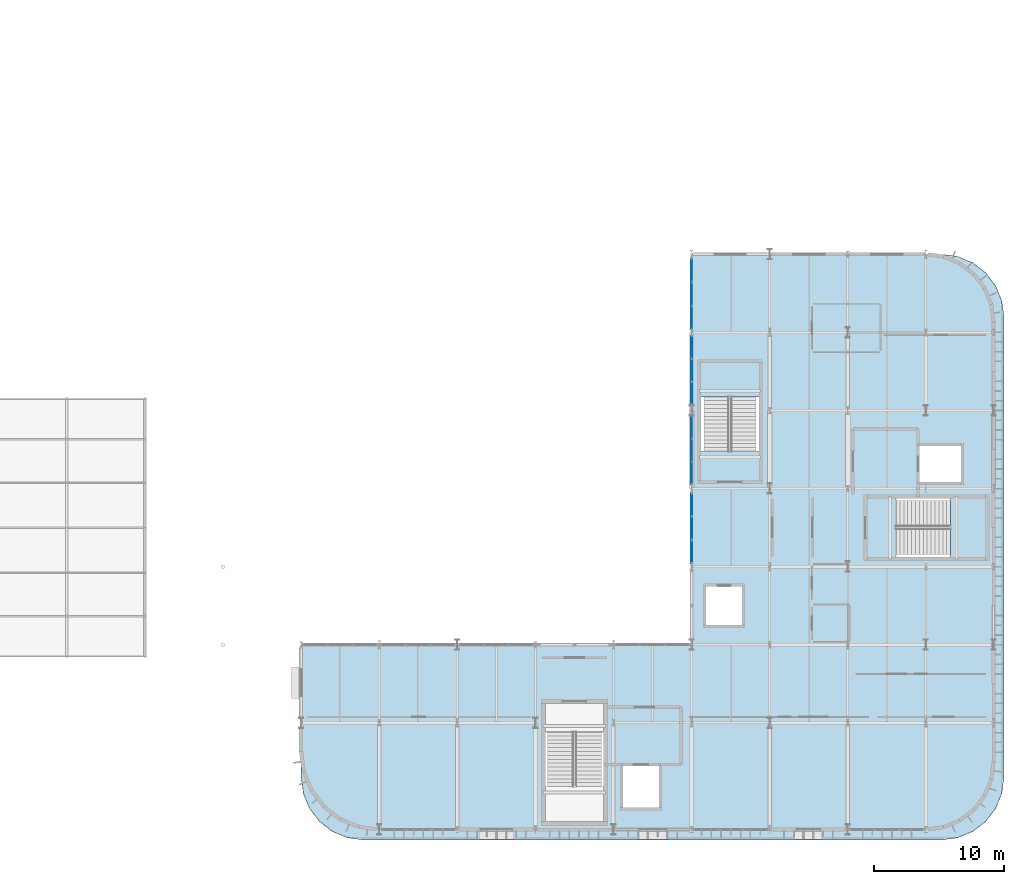
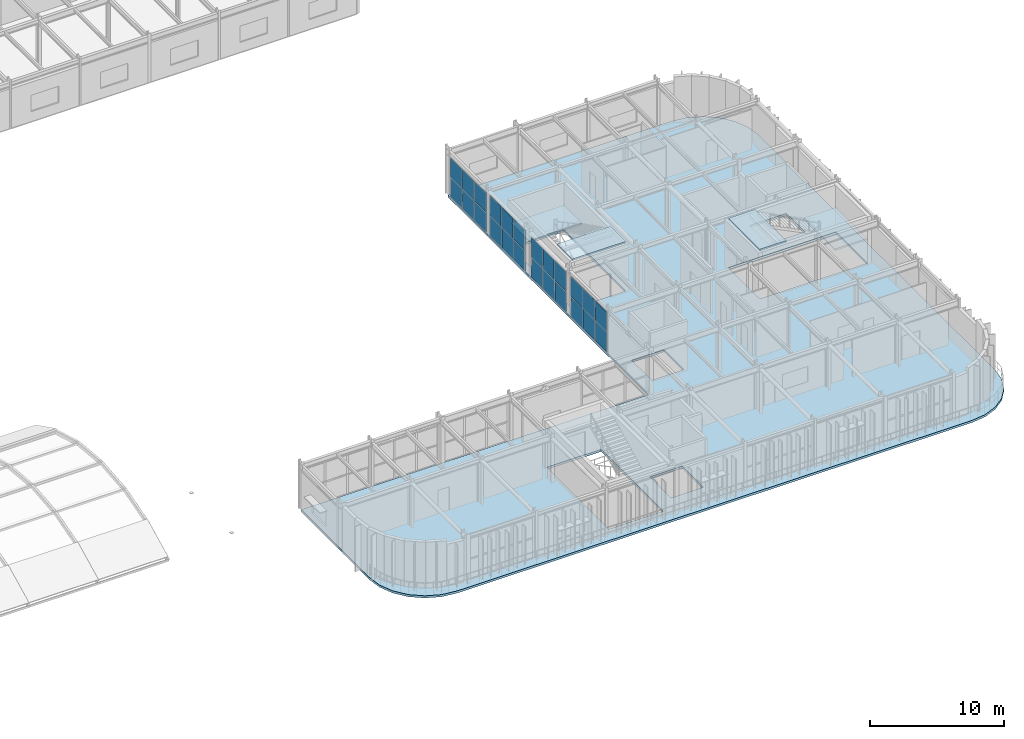
# One storey, part 51 of 84: 24 plates, 5 slabs, 6 elements without a shape of their own.
"""IFC4 building model written with IfcOpenShell, lengths in metres."""

from ifc_helpers import new_model, si_unit, direction, frame, origin, origin_2d, place, context, subcontext, project, spatial, polyline, rectangle, outline, extrude, material, layer, layer_set, type_object, element, aggregate, save


model = new_model("IFC4")

# Units and contexts
model_context = context("Model", 3, precision=1e-05, world=origin(), true_north=direction((0.0, 1.0)))
body_context = subcontext(model_context, "Body", "Model", "MODEL_VIEW")
ifc_project = project(units=[si_unit("LENGTHUNIT", "METRE"), si_unit("AREAUNIT", "SQUARE_METRE"), si_unit("VOLUMEUNIT", "CUBIC_METRE"), si_unit("PLANEANGLEUNIT", "RADIAN"), si_unit("MASSUNIT", "GRAM", prefix="KILO")], contexts=[model_context])

# Site, building, storey
site_placement = place(None, origin())
site = spatial("IfcSite", under=ifc_project, at=site_placement, CompositionType="ELEMENT")
building_placement = place(site_placement, origin())
building = spatial("IfcBuilding", under=site, at=building_placement, Name="Varnakota Square Police Headquarters", CompositionType="ELEMENT")
storey_placement = place(building_placement, frame((0.0, 0.0, 13.5)))
storey = spatial("IfcBuildingStorey", under=building, at=storey_placement, Name="L03", CompositionType="ELEMENT", Elevation=13.5)

# Curtain wall, plates
ifc_material_1 = material(Name="Anodised Aluminium Framing", Category="aluminium")
curtain_wall_type = type_object("IfcCurtainWallType", Name="CW-SYS-E", PredefinedType="NOTDEFINED", material=ifc_material_1)
curtain_wall_1_placement = place(storey_placement, origin())
curtain_wall_1 = element("IfcCurtainWall", 1, at=curtain_wall_1_placement, inside=storey, type_object=curtain_wall_type, Name="Unitised curtain wall CWG-L03-087", PredefinedType="NOTDEFINED")
ifc_material_2 = material(Name="Solar-Control Laminated Double Glazing", Category="glass")
ifc_layer_1 = layer(ifc_material_2, 0.028076171875, Name="Solar-Control Laminated Double Glazing")
ifc_layer_set_1 = layer_set([ifc_layer_1], Name="Solar-Control Laminated Double Glazing")
plate_type_1 = type_object("IfcPlateType", Name="CWP-GLZ-28", PredefinedType="CURTAIN_PANEL", material=ifc_layer_set_1)
plate_1_placement = place(storey_placement, frame((138.0, 40.156982421875, 0.06494140625), z_axis=(0.0, 0.0, 1.0), x_axis=(0.0, 1.0, 0.0)))
plate_1 = element("IfcPlate", 2, at=plate_1_placement, type_object=plate_type_1, Name="CWG-L03-087 panel 1.1", PredefinedType="CURTAIN_PANEL", context=body_context, shape_type="SweptSolid", body=[
    extrude(rectangle(XDim=1.72412109375, YDim=0.028076171875, at=origin_2d()), origin(), (0.0, 0.0, 1.0), 1.74755859375),
])
plate_2_placement = place(storey_placement, frame((138.0, 41.96240234375, 0.06494140625), z_axis=(0.0, 0.0, 1.0), x_axis=(0.0, 1.0, 0.0)))
plate_2 = element("IfcPlate", 3, at=plate_2_placement, type_object=plate_type_1, Name="CWG-L03-087 panel 2.1", PredefinedType="CURTAIN_PANEL", context=body_context, shape_type="SweptSolid", body=[
    extrude(rectangle(XDim=1.756591796875, YDim=0.028076171875, at=origin_2d()), origin(), (0.0, 0.0, 1.0), 1.74755859375),
])
plate_3_placement = place(storey_placement, frame((138.0, 43.767822265625, 0.06494140625), z_axis=(0.0, 0.0, 1.0), x_axis=(0.0, 1.0, 0.0)))
plate_3 = element("IfcPlate", 4, at=plate_3_placement, type_object=plate_type_1, Name="CWG-L03-087 panel 3.1", PredefinedType="CURTAIN_PANEL", context=body_context, shape_type="SweptSolid", body=[
    extrude(rectangle(XDim=1.72412109375, YDim=0.028076171875, at=origin_2d()), origin(), (0.0, 0.0, 1.0), 1.74755859375),
])

curtain_wall_2_placement = place(storey_placement, origin())
curtain_wall_2 = element("IfcCurtainWall", 5, at=curtain_wall_2_placement, inside=storey, type_object=curtain_wall_type, Name="Unitised curtain wall CWG-L03-084", PredefinedType="NOTDEFINED")
ifc_material_3 = material(Name="Acoustic Laminated Double Glazing", Category="glass")
ifc_layer_2 = layer(ifc_material_3, 0.031982421875, Name="Acoustic Laminated Double Glazing")
ifc_layer_set_2 = layer_set([ifc_layer_2], Name="Acoustic Laminated Double Glazing")
plate_type_2 = type_object("IfcPlateType", Name="CWP-GLZ-32", PredefinedType="CURTAIN_PANEL", material=ifc_layer_set_2)
plate_4_placement = place(storey_placement, frame((138.0, 22.156982421875, 0.06494140625), z_axis=(0.0, 0.0, 1.0), x_axis=(0.0, 1.0, 0.0)))
plate_4 = element("IfcPlate", 6, at=plate_4_placement, type_object=plate_type_2, Name="CWG-L03-084 panel 1.1", PredefinedType="CURTAIN_PANEL", context=body_context, shape_type="SweptSolid", body=[
    extrude(rectangle(XDim=1.72412109375, YDim=0.031982421875, at=origin_2d()), origin(), (0.0, 0.0, 1.0), 1.794189453125),
])
plate_5_placement = place(storey_placement, frame((138.0, 23.96240234375, 0.06494140625), z_axis=(0.0, 0.0, 1.0), x_axis=(0.0, 1.0, 0.0)))
plate_5 = element("IfcPlate", 7, at=plate_5_placement, type_object=plate_type_2, Name="CWG-L03-084 panel 2.1", PredefinedType="CURTAIN_PANEL", context=body_context, shape_type="SweptSolid", body=[
    extrude(rectangle(XDim=1.756591796875, YDim=0.031982421875, at=origin_2d()), origin(), (0.0, 0.0, 1.0), 1.794189453125),
])
plate_6_placement = place(storey_placement, frame((138.0, 25.767822265625, 0.06494140625), z_axis=(0.0, 0.0, 1.0), x_axis=(0.0, 1.0, 0.0)))
plate_6 = element("IfcPlate", 8, at=plate_6_placement, type_object=plate_type_2, Name="CWG-L03-084 panel 3.1", PredefinedType="CURTAIN_PANEL", context=body_context, shape_type="SweptSolid", body=[
    extrude(rectangle(XDim=1.72412109375, YDim=0.031982421875, at=origin_2d()), origin(), (0.0, 0.0, 1.0), 1.794189453125),
])

curtain_wall_3_placement = place(storey_placement, origin())
curtain_wall_3 = element("IfcCurtainWall", 9, at=curtain_wall_3_placement, inside=storey, type_object=curtain_wall_type, Name="Unitised curtain wall CWG-L03-085", PredefinedType="NOTDEFINED")
ifc_material_4 = material(Name="Blast-Resistant Laminated Glazing", Category="glass")
ifc_layer_3 = layer(ifc_material_4, 0.035888671875, Name="Blast-Resistant Laminated Glazing")
ifc_layer_set_3 = layer_set([ifc_layer_3], Name="Blast-Resistant Laminated Glazing")
plate_type_3 = type_object("IfcPlateType", Name="CWP-GLZ-36", PredefinedType="CURTAIN_PANEL", material=ifc_layer_set_3)
plate_7_placement = place(storey_placement, frame((138.0, 28.202880859375, 0.06494140625), z_axis=(0.0, 0.0, 1.0), x_axis=(0.0, 1.0, 0.0)))
plate_7 = element("IfcPlate", 10, at=plate_7_placement, type_object=plate_type_3, Name="CWG-L03-085 panel 1.1", PredefinedType="CURTAIN_PANEL", context=body_context, shape_type="SweptSolid", body=[
    extrude(rectangle(XDim=1.665771484375, YDim=0.035888671875, at=origin_2d()), origin(), (0.0, 0.0, 1.0), 1.794189453125),
])
plate_8_placement = place(storey_placement, frame((138.0, 29.949951171875, 0.06494140625), z_axis=(0.0, 0.0, 1.0), x_axis=(0.0, 1.0, 0.0)))
plate_8 = element("IfcPlate", 11, at=plate_8_placement, type_object=plate_type_3, Name="CWG-L03-085 panel 2.1", PredefinedType="CURTAIN_PANEL", context=body_context, shape_type="SweptSolid", body=[
    extrude(rectangle(XDim=1.6982421875, YDim=0.035888671875, at=origin_2d()), origin(), (0.0, 0.0, 1.0), 1.794189453125),
])
plate_9_placement = place(storey_placement, frame((138.0, 31.697021484375, 0.06494140625), z_axis=(0.0, 0.0, 1.0), x_axis=(0.0, 1.0, 0.0)))
plate_9 = element("IfcPlate", 12, at=plate_9_placement, type_object=plate_type_3, Name="CWG-L03-085 panel 3.1", PredefinedType="CURTAIN_PANEL", context=body_context, shape_type="SweptSolid", body=[
    extrude(rectangle(XDim=1.665771484375, YDim=0.035888671875, at=origin_2d()), origin(), (0.0, 0.0, 1.0), 1.794189453125),
])

curtain_wall_4_placement = place(storey_placement, origin())
curtain_wall_4 = element("IfcCurtainWall", 13, at=curtain_wall_4_placement, inside=storey, type_object=curtain_wall_type, Name="Unitised curtain wall CWG-L03-086", PredefinedType="NOTDEFINED")
ifc_material_5 = material(Name="Triple-Glazed Clean-Lab Vision Unit", Category="aluminium")
ifc_layer_4 = layer(ifc_material_5, 0.0419921875, Name="Triple-Glazed Clean-Lab Vision Unit")
ifc_layer_set_4 = layer_set([ifc_layer_4], Name="Triple-Glazed Clean-Lab Vision Unit")
plate_type_4 = type_object("IfcPlateType", Name="CWP-GLZ-42", PredefinedType="CURTAIN_PANEL", material=ifc_layer_set_4)
plate_10_placement = place(storey_placement, frame((138.0, 34.3154296875, 0.06494140625), z_axis=(0.0, 0.0, 1.0), x_axis=(0.0, 1.0, 0.0)))
plate_10 = element("IfcPlate", 14, at=plate_10_placement, type_object=plate_type_4, Name="CWG-L03-086 panel 1.1", PredefinedType="CURTAIN_PANEL", context=body_context, shape_type="SweptSolid", body=[
    extrude(rectangle(XDim=1.69091796875, YDim=0.0419921875, at=origin_2d()), origin(), (0.0, 0.0, 1.0), 1.822509765625),
])
plate_11_placement = place(storey_placement, frame((138.0, 36.08740234375, 0.06494140625), z_axis=(0.0, 0.0, 1.0), x_axis=(0.0, 1.0, 0.0)))
plate_11 = element("IfcPlate", 15, at=plate_11_placement, type_object=plate_type_4, Name="CWG-L03-086 panel 2.1", PredefinedType="CURTAIN_PANEL", context=body_context, shape_type="SweptSolid", body=[
    extrude(rectangle(XDim=1.723388671875, YDim=0.0419921875, at=origin_2d()), origin(), (0.0, 0.0, 1.0), 1.822509765625),
])
plate_12_placement = place(storey_placement, frame((138.0, 37.859619140625, 0.06494140625), z_axis=(0.0, 0.0, 1.0), x_axis=(0.0, 1.0, 0.0)))
plate_12 = element("IfcPlate", 16, at=plate_12_placement, type_object=plate_type_4, Name="CWG-L03-086 panel 3.1", PredefinedType="CURTAIN_PANEL", context=body_context, shape_type="SweptSolid", body=[
    extrude(rectangle(XDim=1.69091796875, YDim=0.0419921875, at=origin_2d()), origin(), (0.0, 0.0, 1.0), 1.822509765625),
])

# Plate
ifc_material_6 = material(Name="Insulated Anodised Aluminium Spandrel Panel", Category="aluminium")
ifc_layer_5 = layer(ifc_material_6, 0.050048828125, Name="Insulated Anodised Aluminium Spandrel Panel")
ifc_layer_set_5 = layer_set([ifc_layer_5], Name="Insulated Anodised Aluminium Spandrel Panel")
plate_type_5 = type_object("IfcPlateType", Name="CWP-SPN-50", PredefinedType="CURTAIN_PANEL", material=ifc_layer_set_5)
plate_13_placement = place(storey_placement, frame((138.0, 28.202880859375, 1.92431640625), z_axis=(0.0, 0.0, 1.0), x_axis=(0.0, 1.0, 0.0)))
plate_13 = element("IfcPlate", 17, at=plate_13_placement, type_object=plate_type_5, Name="CWG-L03-085 panel 1.2", PredefinedType="CURTAIN_PANEL", context=body_context, shape_type="SweptSolid", body=[
    extrude(rectangle(XDim=1.665771484375, YDim=0.050048828125, at=origin_2d()), origin(), (0.0, 0.0, 1.0), 1.794189453125),
])

plate_14_placement = place(storey_placement, frame((138.0, 29.949951171875, 1.92431640625), z_axis=(0.0, 0.0, 1.0), x_axis=(0.0, 1.0, 0.0)))
plate_14 = element("IfcPlate", 18, at=plate_14_placement, type_object=plate_type_5, Name="CWG-L03-085 panel 2.2", PredefinedType="CURTAIN_PANEL", context=body_context, shape_type="SweptSolid", body=[
    extrude(rectangle(XDim=1.6982421875, YDim=0.050048828125, at=origin_2d()), origin(), (0.0, 0.0, 1.0), 1.794189453125),
])

plate_15_placement = place(storey_placement, frame((138.0, 31.697021484375, 1.92431640625), z_axis=(0.0, 0.0, 1.0), x_axis=(0.0, 1.0, 0.0)))
plate_15 = element("IfcPlate", 19, at=plate_15_placement, type_object=plate_type_5, Name="CWG-L03-085 panel 3.2", PredefinedType="CURTAIN_PANEL", context=body_context, shape_type="SweptSolid", body=[
    extrude(rectangle(XDim=1.665771484375, YDim=0.050048828125, at=origin_2d()), origin(), (0.0, 0.0, 1.0), 1.794189453125),
])

aggregate(curtain_wall_3, [plate_7, plate_13, plate_8, plate_14, plate_9, plate_15])

plate_16_placement = place(storey_placement, frame((138.0, 40.156982421875, 1.87744140625), z_axis=(0.0, 0.0, 1.0), x_axis=(0.0, 1.0, 0.0)))
plate_16 = element("IfcPlate", 20, at=plate_16_placement, type_object=plate_type_5, Name="CWG-L03-087 panel 1.2", PredefinedType="CURTAIN_PANEL", context=body_context, shape_type="SweptSolid", body=[
    extrude(rectangle(XDim=1.72412109375, YDim=0.050048828125, at=origin_2d()), origin(), (0.0, 0.0, 1.0), 1.74755859375),
])

plate_17_placement = place(storey_placement, frame((138.0, 41.96240234375, 1.87744140625), z_axis=(0.0, 0.0, 1.0), x_axis=(0.0, 1.0, 0.0)))
plate_17 = element("IfcPlate", 21, at=plate_17_placement, type_object=plate_type_5, Name="CWG-L03-087 panel 2.2", PredefinedType="CURTAIN_PANEL", context=body_context, shape_type="SweptSolid", body=[
    extrude(rectangle(XDim=1.756591796875, YDim=0.050048828125, at=origin_2d()), origin(), (0.0, 0.0, 1.0), 1.74755859375),
])

plate_18_placement = place(storey_placement, frame((138.0, 43.767822265625, 1.87744140625), z_axis=(0.0, 0.0, 1.0), x_axis=(0.0, 1.0, 0.0)))
plate_18 = element("IfcPlate", 22, at=plate_18_placement, type_object=plate_type_5, Name="CWG-L03-087 panel 3.2", PredefinedType="CURTAIN_PANEL", context=body_context, shape_type="SweptSolid", body=[
    extrude(rectangle(XDim=1.72412109375, YDim=0.050048828125, at=origin_2d()), origin(), (0.0, 0.0, 1.0), 1.74755859375),
])

aggregate(curtain_wall_1, [plate_1, plate_16, plate_2, plate_17, plate_3, plate_18])

ifc_material_7 = material(Name="Fire-Stopped Mineral-Wool Spandrel Panel", Category="aluminium")
ifc_layer_6 = layer(ifc_material_7, 0.06005859375, Name="Fire-Stopped Mineral-Wool Spandrel Panel")
ifc_layer_set_6 = layer_set([ifc_layer_6], Name="Fire-Stopped Mineral-Wool Spandrel Panel")
plate_type_6 = type_object("IfcPlateType", Name="CWP-SPN-60", PredefinedType="CURTAIN_PANEL", material=ifc_layer_set_6)
plate_19_placement = place(storey_placement, frame((138.0, 22.156982421875, 1.92431640625), z_axis=(0.0, 0.0, 1.0), x_axis=(0.0, 1.0, 0.0)))
plate_19 = element("IfcPlate", 23, at=plate_19_placement, type_object=plate_type_6, Name="CWG-L03-084 panel 1.2", PredefinedType="CURTAIN_PANEL", context=body_context, shape_type="SweptSolid", body=[
    extrude(rectangle(XDim=1.72412109375, YDim=0.06005859375, at=origin_2d()), origin(), (0.0, 0.0, 1.0), 1.794189453125),
])

plate_20_placement = place(storey_placement, frame((138.0, 23.96240234375, 1.92431640625), z_axis=(0.0, 0.0, 1.0), x_axis=(0.0, 1.0, 0.0)))
plate_20 = element("IfcPlate", 24, at=plate_20_placement, type_object=plate_type_6, Name="CWG-L03-084 panel 2.2", PredefinedType="CURTAIN_PANEL", context=body_context, shape_type="SweptSolid", body=[
    extrude(rectangle(XDim=1.756591796875, YDim=0.06005859375, at=origin_2d()), origin(), (0.0, 0.0, 1.0), 1.794189453125),
])

plate_21_placement = place(storey_placement, frame((138.0, 25.767822265625, 1.92431640625), z_axis=(0.0, 0.0, 1.0), x_axis=(0.0, 1.0, 0.0)))
plate_21 = element("IfcPlate", 25, at=plate_21_placement, type_object=plate_type_6, Name="CWG-L03-084 panel 3.2", PredefinedType="CURTAIN_PANEL", context=body_context, shape_type="SweptSolid", body=[
    extrude(rectangle(XDim=1.72412109375, YDim=0.06005859375, at=origin_2d()), origin(), (0.0, 0.0, 1.0), 1.794189453125),
])

aggregate(curtain_wall_2, [plate_4, plate_19, plate_5, plate_20, plate_6, plate_21])

plate_22_placement = place(storey_placement, frame((138.0, 34.3154296875, 1.95263671875), z_axis=(0.0, 0.0, 1.0), x_axis=(0.0, 1.0, 0.0)))
plate_22 = element("IfcPlate", 26, at=plate_22_placement, type_object=plate_type_6, Name="CWG-L03-086 panel 1.2", PredefinedType="CURTAIN_PANEL", context=body_context, shape_type="SweptSolid", body=[
    extrude(rectangle(XDim=1.69091796875, YDim=0.06005859375, at=origin_2d()), origin(), (0.0, 0.0, 1.0), 1.822509765625),
])

plate_23_placement = place(storey_placement, frame((138.0, 36.08740234375, 1.95263671875), z_axis=(0.0, 0.0, 1.0), x_axis=(0.0, 1.0, 0.0)))
plate_23 = element("IfcPlate", 27, at=plate_23_placement, type_object=plate_type_6, Name="CWG-L03-086 panel 2.2", PredefinedType="CURTAIN_PANEL", context=body_context, shape_type="SweptSolid", body=[
    extrude(rectangle(XDim=1.723388671875, YDim=0.06005859375, at=origin_2d()), origin(), (0.0, 0.0, 1.0), 1.822509765625),
])

plate_24_placement = place(storey_placement, frame((138.0, 37.859619140625, 1.95263671875), z_axis=(0.0, 0.0, 1.0), x_axis=(0.0, 1.0, 0.0)))
plate_24 = element("IfcPlate", 28, at=plate_24_placement, type_object=plate_type_6, Name="CWG-L03-086 panel 3.2", PredefinedType="CURTAIN_PANEL", context=body_context, shape_type="SweptSolid", body=[
    extrude(rectangle(XDim=1.69091796875, YDim=0.06005859375, at=origin_2d()), origin(), (0.0, 0.0, 1.0), 1.822509765625),
])

aggregate(curtain_wall_4, [plate_10, plate_22, plate_11, plate_23, plate_12, plate_24])

# Slab
ifc_material_8 = material(Name="Concrete M40", Category="concrete")
ifc_layer_7 = layer(ifc_material_8, 0.199951171875, Name="Concrete M40")
ifc_layer_set_7 = layer_set([ifc_layer_7], Name="Concrete M40")
slab_type_1 = type_object("IfcSlabType", Name="SL-COMP-200", PredefinedType="FLOOR", material=ifc_layer_set_7)
slab_1_placement = place(storey_placement, frame((0.0, 0.0, -0.199951171875)))
element("IfcSlab", 29, at=slab_1_placement, inside=storey, type_object=slab_type_1, Name="L03 Serious Crime Investigation Slab", PredefinedType="FLOOR", context=body_context, shape_type="SweptSolid", body=[
    extrude(outline(polyline([(108.0, 4.800048828125), (108.16357421875, 3.5576171875), (108.64306640625, 2.39990234375), (109.406005859375, 1.406005859375), (110.39990234375, 0.64306640625), (111.5576171875, 0.16357421875), (112.800048828125, 0.0), (157.199951171875, 0.0), (158.4423828125, 0.16357421875), (159.60009765625, 0.64306640625), (160.593994140625, 1.406005859375), (161.35693359375, 2.39990234375), (161.83642578125, 3.5576171875), (162.0, 4.800048828125), (162.0, 40.199951171875), (161.83642578125, 41.4423828125), (161.35693359375, 42.60009765625), (160.593994140625, 43.593994140625), (159.60009765625, 44.35693359375), (158.4423828125, 44.83642578125), (157.199951171875, 45.0), (138.0, 45.0), (138.0, 15.0), (108.0, 15.0), (108.0, 4.800048828125)]), holes=[polyline([(126.655029296875, 1.304931640625), (131.344970703125, 1.304931640625), (131.344970703125, 10.594970703125), (126.655029296875, 10.594970703125), (126.655029296875, 1.304931640625)]), polyline([(132.715087890625, 2.514892578125), (135.485107421875, 2.514892578125), (135.485107421875, 5.68505859375), (132.715087890625, 5.68505859375), (132.715087890625, 2.514892578125)]), polyline([(151.405029296875, 21.655029296875), (160.695068359375, 21.655029296875), (160.695068359375, 26.344970703125), (151.405029296875, 26.344970703125), (151.405029296875, 21.655029296875)]), polyline([(155.514892578125, 27.514892578125), (158.68505859375, 27.514892578125), (158.68505859375, 30.284912109375), (155.514892578125, 30.284912109375), (155.514892578125, 27.514892578125)]), polyline([(138.655029296875, 27.554931640625), (143.2451171875, 27.554931640625), (143.2451171875, 36.7451171875), (138.655029296875, 36.7451171875), (138.655029296875, 27.554931640625)]), polyline([(139.114990234375, 16.514892578125), (141.885009765625, 16.514892578125), (141.885009765625, 19.485107421875), (139.114990234375, 19.485107421875), (139.114990234375, 16.514892578125)])]), origin(), (0.0, 0.0, 1.0), 0.199951171875),
])

# Stair, slabs
stair_type_1 = type_object("IfcStairType", Name="STR-DOG-1900", PredefinedType="USERDEFINED", material=ifc_material_8)
stair_1_placement = place(storey_placement, origin())
stair_1 = element("IfcStair", 30, at=stair_1_placement, inside=storey, type_object=stair_type_1, Name="Protected exit stair ST3 (L03)", ObjectType="TWO_RETURN_STAIR", PredefinedType="USERDEFINED")
ifc_layer_8 = layer(ifc_material_8, 0.162109375, Name="Concrete M40")
ifc_layer_set_8 = layer_set([ifc_layer_8], Name="Concrete M40")
slab_type_2 = type_object("IfcSlabType", Name="SLB-LND-1900", PredefinedType="LANDING", material=ifc_layer_set_8)
slab_2_placement = place(storey_placement, frame((0.0, 0.0, 2.087890625)))
slab_2 = element("IfcSlab", 31, at=slab_2_placement, type_object=slab_type_2, Name="ST3-L03 landing 1", PredefinedType="LANDING", context=body_context, shape_type="SweptSolid", body=[
    extrude(outline(polyline([(138.659912109375, 34.05078125), (143.239990234375, 34.05078125), (143.239990234375, 36.739990234375), (138.659912109375, 36.739990234375), (138.659912109375, 34.05078125)])), origin(), (0.0, 0.0, 1.0), 0.162109375),
])
slab_3_placement = place(storey_placement, frame((0.0, 0.0, 4.337890625)))
slab_3 = element("IfcSlab", 32, at=slab_3_placement, type_object=slab_type_2, Name="ST3-L03 landing 2", PredefinedType="LANDING", context=body_context, shape_type="SweptSolid", body=[
    extrude(outline(polyline([(138.659912109375, 27.56005859375), (143.239990234375, 27.56005859375), (143.239990234375, 29.85009765625), (138.659912109375, 29.85009765625), (138.659912109375, 27.56005859375)])), origin(), (0.0, 0.0, 1.0), 0.162109375),
])
aggregate(stair_1, [slab_2, slab_3])

stair_type_2 = type_object("IfcStairType", Name="STR-DOG-2000", PredefinedType="USERDEFINED", material=ifc_material_8)
stair_2_placement = place(storey_placement, origin())
stair_2 = element("IfcStair", 33, at=stair_2_placement, inside=storey, type_object=stair_type_2, Name="Protected exit stair ST2 (L03)", ObjectType="TWO_RETURN_STAIR", PredefinedType="USERDEFINED")
ifc_layer_9 = layer(ifc_material_8, 0.166015625, Name="Concrete M40")
ifc_layer_set_9 = layer_set([ifc_layer_9], Name="Concrete M40")
slab_type_3 = type_object("IfcSlabType", Name="SLB-LND-2000", PredefinedType="LANDING", material=ifc_layer_set_9)
slab_4_placement = place(storey_placement, frame((0.0, 0.0, 2.083984375)))
slab_4 = element("IfcSlab", 34, at=slab_4_placement, type_object=slab_type_3, Name="ST2-L03 landing 1", PredefinedType="LANDING", context=body_context, shape_type="SweptSolid", body=[
    extrude(outline(polyline([(157.900634765625, 21.659912109375), (160.68994140625, 21.659912109375), (160.68994140625, 26.340087890625), (157.900634765625, 26.340087890625), (157.900634765625, 21.659912109375)])), origin(), (0.0, 0.0, 1.0), 0.166015625),
])
slab_5_placement = place(storey_placement, frame((0.0, 0.0, 4.333984375)))
slab_5 = element("IfcSlab", 35, at=slab_5_placement, type_object=slab_type_3, Name="ST2-L03 landing 2", PredefinedType="LANDING", context=body_context, shape_type="SweptSolid", body=[
    extrude(outline(polyline([(151.409912109375, 21.659912109375), (153.699951171875, 21.659912109375), (153.699951171875, 26.340087890625), (151.409912109375, 26.340087890625), (151.409912109375, 21.659912109375)])), origin(), (0.0, 0.0, 1.0), 0.166015625),
])
aggregate(stair_2, [slab_4, slab_5])

save(model, "model.ifc")
